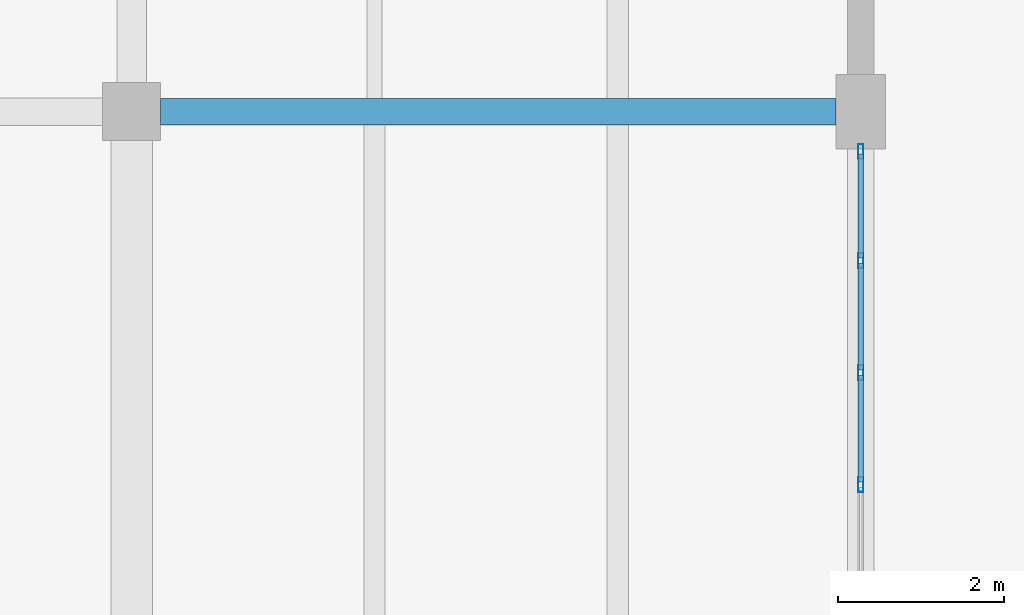
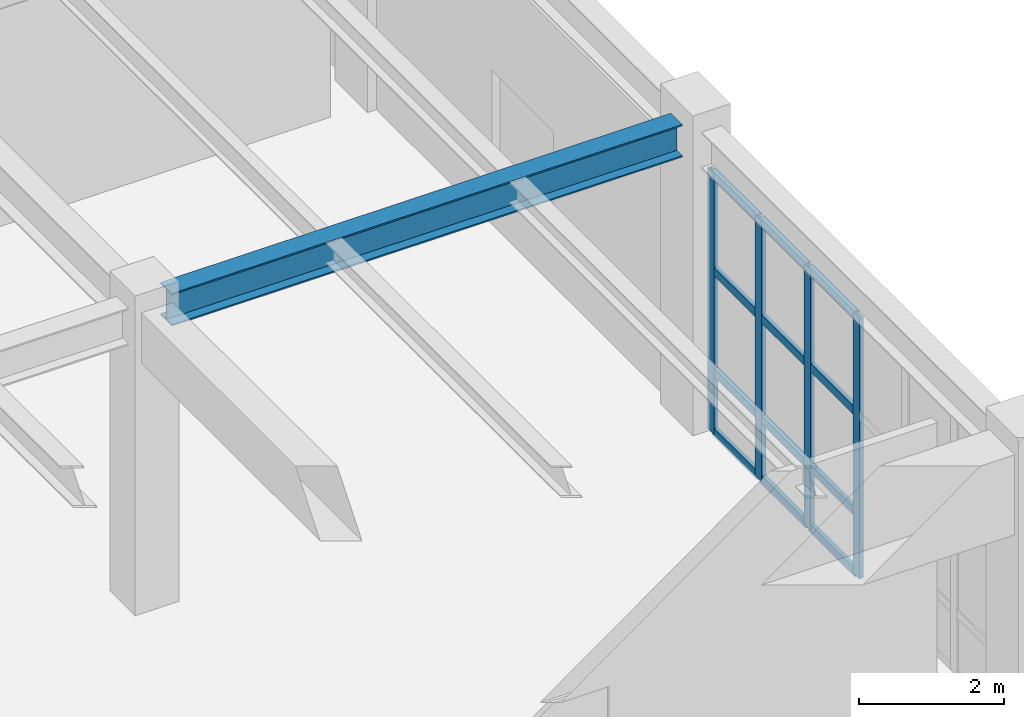
# One storey, part 58 of 91: 16 members, 1 beam, 1 element without a shape of its own.
"""IFC4 building model written with IfcOpenShell, lengths in metres."""

from ifc_helpers import new_model, si_unit, direction, frame, origin, origin_2d, place, context, subcontext, project, spatial, hollow_rectangle, i_section, extrude, material, layer, layer_set, material_profile, profile_set, type_object, element, aggregate, save


model = new_model("IFC4")

# Units and contexts
model_context = context("Model", 3, precision=1e-05, world=origin(), true_north=direction((0.0, 1.0)))
body_context = subcontext(model_context, "Body", "Model", "MODEL_VIEW")
ifc_project = project(units=[si_unit("LENGTHUNIT", "METRE"), si_unit("AREAUNIT", "SQUARE_METRE"), si_unit("VOLUMEUNIT", "CUBIC_METRE"), si_unit("PLANEANGLEUNIT", "RADIAN"), si_unit("MASSUNIT", "GRAM", prefix="KILO")], contexts=[model_context])

# Site, building, storey
site_placement = place(None, origin())
site = spatial("IfcSite", under=ifc_project, at=site_placement, CompositionType="ELEMENT")
building_placement = place(site_placement, origin())
building = spatial("IfcBuilding", under=site, at=building_placement, Name="Vaelkrest Opera House", CompositionType="ELEMENT")
storey_placement = place(building_placement, origin())
storey = spatial("IfcBuildingStorey", under=building, at=storey_placement, Name="L00", CompositionType="ELEMENT", Elevation=0.0)

# Beam
ifc_material_1 = material(Name="Steel A992 Gr50", Category="steel")
ifc_material_profile_1 = material_profile(ifc_material_1, i_section(OverallWidth=0.31494140625, OverallDepth=0.551025390625, WebThickness=0.01513671875, FlangeThickness=0.0244140625, at=origin_2d()), Name="W21X122")
ifc_profile_set_1 = profile_set([ifc_material_profile_1], Name="Steel A992 Gr50")
beam_type = type_object("IfcBeamType", Name="B20", PredefinedType="BEAM", material=ifc_profile_set_1)
beam_placement = place(storey_placement, frame((77.949951171875, 1.199951171875, 4.804443359375), z_axis=(1.0, 0.0, 0.0), x_axis=(0.0, 1.0, 0.0)))
element("IfcBeam", 1, at=beam_placement, inside=storey, type_object=beam_type, Name="Beam BM-V4-L00-1972", PredefinedType="BEAM", context=body_context, shape_type="SweptSolid", body=[
    extrude(i_section(OverallWidth=0.31494140625, OverallDepth=0.551025390625, WebThickness=0.01513671875, FlangeThickness=0.0244140625, at=origin_2d()), origin(), (0.0, 0.0, 1.0), 8.150146484375),
])

# Curtain wall, members
ifc_material_2 = material(Name="Dark bronze anodized aluminium", Category="aluminium")
ifc_layer = layer(ifc_material_2, 0.179931640625)
ifc_layer_set = layer_set([ifc_layer], Name="Dark bronze anodized aluminium")
curtain_wall_type = type_object("IfcCurtainWallType", Name="CW01", PredefinedType="NOTDEFINED", material=ifc_layer_set)
curtain_wall_placement = place(storey_placement, origin())
curtain_wall = element("IfcCurtainWall", 2, at=curtain_wall_placement, inside=storey, type_object=curtain_wall_type, Name="Curtain wall CW-L00-152", PredefinedType="NOTDEFINED")
ifc_material_profile_2 = material_profile(ifc_material_2, hollow_rectangle(XDim=0.06494140625, YDim=0.179931640625, WallThickness=0.00390625, at=origin_2d()), Name="CWM65X180")
ifc_profile_set_2 = profile_set([ifc_material_profile_2], Name="Dark bronze anodized aluminium")
member_type_1 = type_object("IfcMemberType", Name="CWM01", PredefinedType="MULLION", material=ifc_profile_set_2)
member_1_placement = place(storey_placement, frame((86.39990234375, 0.719482421875, 0.0), z_axis=(0.0, 0.0, 1.0), x_axis=(1.0, 0.0, 0.0)))
member_1 = element("IfcMember", 3, at=member_1_placement, type_object=member_type_1, Name="CW01 mullion 1", PredefinedType="MULLION", context=body_context, shape_type="SweptSolid", body=[
    extrude(hollow_rectangle(XDim=0.06494140625, YDim=0.179931640625, WallThickness=0.00390625, at=origin_2d()), origin(), (0.0, 0.0, 1.0), 4.404052734375),
])
member_2_placement = place(storey_placement, frame((86.39990234375, -0.5986328125, 0.0), z_axis=(0.0, 0.0, 1.0), x_axis=(1.0, 0.0, 0.0)))
member_2 = element("IfcMember", 4, at=member_2_placement, type_object=member_type_1, Name="CW01 mullion 2", PredefinedType="MULLION", context=body_context, shape_type="SweptSolid", body=[
    extrude(hollow_rectangle(XDim=0.06494140625, YDim=0.179931640625, WallThickness=0.00390625, at=origin_2d()), origin(), (0.0, 0.0, 1.0), 4.404052734375),
])
member_3_placement = place(storey_placement, frame((86.39990234375, -1.94921875, 0.0), z_axis=(0.0, 0.0, 1.0), x_axis=(1.0, 0.0, 0.0)))
member_3 = element("IfcMember", 5, at=member_3_placement, type_object=member_type_1, Name="CW01 mullion 3", PredefinedType="MULLION", context=body_context, shape_type="SweptSolid", body=[
    extrude(hollow_rectangle(XDim=0.06494140625, YDim=0.179931640625, WallThickness=0.00390625, at=origin_2d()), origin(), (0.0, 0.0, 1.0), 4.404052734375),
])
member_4_placement = place(storey_placement, frame((86.39990234375, -3.300048828125, 0.0), z_axis=(0.0, 0.0, 1.0), x_axis=(1.0, 0.0, 0.0)))
member_4 = element("IfcMember", 6, at=member_4_placement, type_object=member_type_1, Name="CW01 mullion 4", PredefinedType="MULLION", context=body_context, shape_type="SweptSolid", body=[
    extrude(hollow_rectangle(XDim=0.06494140625, YDim=0.179931640625, WallThickness=0.00390625, at=origin_2d()), origin(), (0.0, 0.0, 1.0), 4.404052734375),
])
ifc_material_profile_3 = material_profile(ifc_material_2, hollow_rectangle(XDim=0.06494140625, YDim=0.139892578125, WallThickness=0.00390625, at=origin_2d()), Name="CWT65X140")
ifc_profile_set_3 = profile_set([ifc_material_profile_3], Name="Dark bronze anodized aluminium")
member_type_2 = type_object("IfcMemberType", Name="CWT01", PredefinedType="USERDEFINED", material=ifc_profile_set_3)
member_5_placement = place(storey_placement, frame((86.39990234375, 0.68701171875, 0.032470703125), z_axis=(0.0, -1.0, 0.0), x_axis=(1.0, 0.0, 0.0)))
member_5 = element("IfcMember", 7, at=member_5_placement, type_object=member_type_2, Name="CW01 transom 1.1", ObjectType="TRANSOM", PredefinedType="USERDEFINED", context=body_context, shape_type="SweptSolid", body=[
    extrude(hollow_rectangle(XDim=0.06494140625, YDim=0.139892578125, WallThickness=0.00390625, at=origin_2d()), origin(), (0.0, 0.0, 1.0), 1.253173828125),
])
member_6_placement = place(storey_placement, frame((86.39990234375, 0.68701171875, 1.050048828125), z_axis=(0.0, -1.0, 0.0), x_axis=(1.0, 0.0, 0.0)))
member_6 = element("IfcMember", 8, at=member_6_placement, type_object=member_type_2, Name="CW01 transom 1.2", ObjectType="TRANSOM", PredefinedType="USERDEFINED", context=body_context, shape_type="SweptSolid", body=[
    extrude(hollow_rectangle(XDim=0.06494140625, YDim=0.139892578125, WallThickness=0.00390625, at=origin_2d()), origin(), (0.0, 0.0, 1.0), 1.253173828125),
])
member_7_placement = place(storey_placement, frame((86.39990234375, 0.68701171875, 2.75), z_axis=(0.0, -1.0, 0.0), x_axis=(1.0, 0.0, 0.0)))
member_7 = element("IfcMember", 9, at=member_7_placement, type_object=member_type_2, Name="CW01 transom 1.3", ObjectType="TRANSOM", PredefinedType="USERDEFINED", context=body_context, shape_type="SweptSolid", body=[
    extrude(hollow_rectangle(XDim=0.06494140625, YDim=0.139892578125, WallThickness=0.00390625, at=origin_2d()), origin(), (0.0, 0.0, 1.0), 1.253173828125),
])
member_8_placement = place(storey_placement, frame((86.39990234375, 0.68701171875, 4.37158203125), z_axis=(0.0, -1.0, 0.0), x_axis=(1.0, 0.0, 0.0)))
member_8 = element("IfcMember", 10, at=member_8_placement, type_object=member_type_2, Name="CW01 transom 1.4", ObjectType="TRANSOM", PredefinedType="USERDEFINED", context=body_context, shape_type="SweptSolid", body=[
    extrude(hollow_rectangle(XDim=0.06494140625, YDim=0.139892578125, WallThickness=0.00390625, at=origin_2d()), origin(), (0.0, 0.0, 1.0), 1.253173828125),
])
member_9_placement = place(storey_placement, frame((86.39990234375, -0.631103515625, 0.032470703125), z_axis=(0.0, -1.0, 0.0), x_axis=(1.0, 0.0, 0.0)))
member_9 = element("IfcMember", 11, at=member_9_placement, type_object=member_type_2, Name="CW01 transom 2.1", ObjectType="TRANSOM", PredefinedType="USERDEFINED", context=body_context, shape_type="SweptSolid", body=[
    extrude(hollow_rectangle(XDim=0.06494140625, YDim=0.139892578125, WallThickness=0.00390625, at=origin_2d()), origin(), (0.0, 0.0, 1.0), 1.28564453125),
])
member_10_placement = place(storey_placement, frame((86.39990234375, -0.631103515625, 1.050048828125), z_axis=(0.0, -1.0, 0.0), x_axis=(1.0, 0.0, 0.0)))
member_10 = element("IfcMember", 12, at=member_10_placement, type_object=member_type_2, Name="CW01 transom 2.2", ObjectType="TRANSOM", PredefinedType="USERDEFINED", context=body_context, shape_type="SweptSolid", body=[
    extrude(hollow_rectangle(XDim=0.06494140625, YDim=0.139892578125, WallThickness=0.00390625, at=origin_2d()), origin(), (0.0, 0.0, 1.0), 1.28564453125),
])
member_11_placement = place(storey_placement, frame((86.39990234375, -0.631103515625, 2.75), z_axis=(0.0, -1.0, 0.0), x_axis=(1.0, 0.0, 0.0)))
member_11 = element("IfcMember", 13, at=member_11_placement, type_object=member_type_2, Name="CW01 transom 2.3", ObjectType="TRANSOM", PredefinedType="USERDEFINED", context=body_context, shape_type="SweptSolid", body=[
    extrude(hollow_rectangle(XDim=0.06494140625, YDim=0.139892578125, WallThickness=0.00390625, at=origin_2d()), origin(), (0.0, 0.0, 1.0), 1.28564453125),
])
member_12_placement = place(storey_placement, frame((86.39990234375, -0.631103515625, 4.37158203125), z_axis=(0.0, -1.0, 0.0), x_axis=(1.0, 0.0, 0.0)))
member_12 = element("IfcMember", 14, at=member_12_placement, type_object=member_type_2, Name="CW01 transom 2.4", ObjectType="TRANSOM", PredefinedType="USERDEFINED", context=body_context, shape_type="SweptSolid", body=[
    extrude(hollow_rectangle(XDim=0.06494140625, YDim=0.139892578125, WallThickness=0.00390625, at=origin_2d()), origin(), (0.0, 0.0, 1.0), 1.28564453125),
])
member_13_placement = place(storey_placement, frame((86.39990234375, -1.98193359375, 0.032470703125), z_axis=(0.0, -1.0, 0.0), x_axis=(1.0, 0.0, 0.0)))
member_13 = element("IfcMember", 15, at=member_13_placement, type_object=member_type_2, Name="CW01 transom 3.1", ObjectType="TRANSOM", PredefinedType="USERDEFINED", context=body_context, shape_type="SweptSolid", body=[
    extrude(hollow_rectangle(XDim=0.06494140625, YDim=0.139892578125, WallThickness=0.00390625, at=origin_2d()), origin(), (0.0, 0.0, 1.0), 1.28564453125),
])
member_14_placement = place(storey_placement, frame((86.39990234375, -1.98193359375, 1.050048828125), z_axis=(0.0, -1.0, 0.0), x_axis=(1.0, 0.0, 0.0)))
member_14 = element("IfcMember", 16, at=member_14_placement, type_object=member_type_2, Name="CW01 transom 3.2", ObjectType="TRANSOM", PredefinedType="USERDEFINED", context=body_context, shape_type="SweptSolid", body=[
    extrude(hollow_rectangle(XDim=0.06494140625, YDim=0.139892578125, WallThickness=0.00390625, at=origin_2d()), origin(), (0.0, 0.0, 1.0), 1.28564453125),
])
member_15_placement = place(storey_placement, frame((86.39990234375, -1.98193359375, 2.75), z_axis=(0.0, -1.0, 0.0), x_axis=(1.0, 0.0, 0.0)))
member_15 = element("IfcMember", 17, at=member_15_placement, type_object=member_type_2, Name="CW01 transom 3.3", ObjectType="TRANSOM", PredefinedType="USERDEFINED", context=body_context, shape_type="SweptSolid", body=[
    extrude(hollow_rectangle(XDim=0.06494140625, YDim=0.139892578125, WallThickness=0.00390625, at=origin_2d()), origin(), (0.0, 0.0, 1.0), 1.28564453125),
])
member_16_placement = place(storey_placement, frame((86.39990234375, -1.98193359375, 4.37158203125), z_axis=(0.0, -1.0, 0.0), x_axis=(1.0, 0.0, 0.0)))
member_16 = element("IfcMember", 18, at=member_16_placement, type_object=member_type_2, Name="CW01 transom 3.4", ObjectType="TRANSOM", PredefinedType="USERDEFINED", context=body_context, shape_type="SweptSolid", body=[
    extrude(hollow_rectangle(XDim=0.06494140625, YDim=0.139892578125, WallThickness=0.00390625, at=origin_2d()), origin(), (0.0, 0.0, 1.0), 1.28564453125),
])
aggregate(curtain_wall, [member_1, member_2, member_3, member_4, member_5, member_6, member_7, member_8, member_9, member_10, member_11, member_12, member_13, member_14, member_15, member_16])

save(model, "model.ifc")
